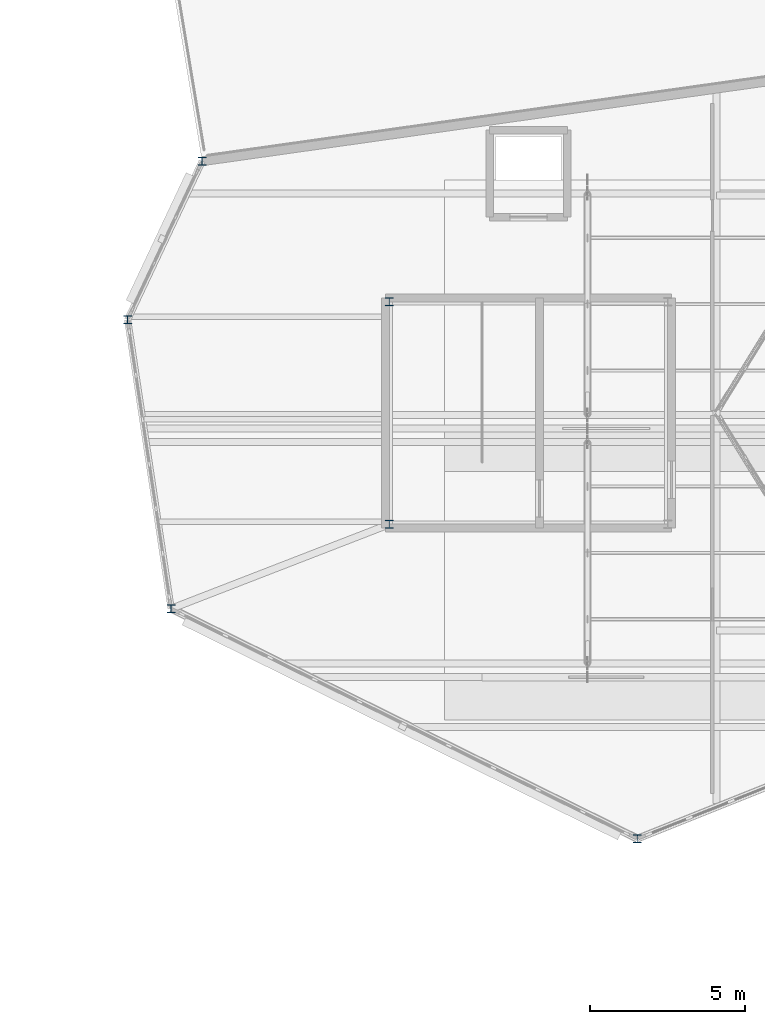
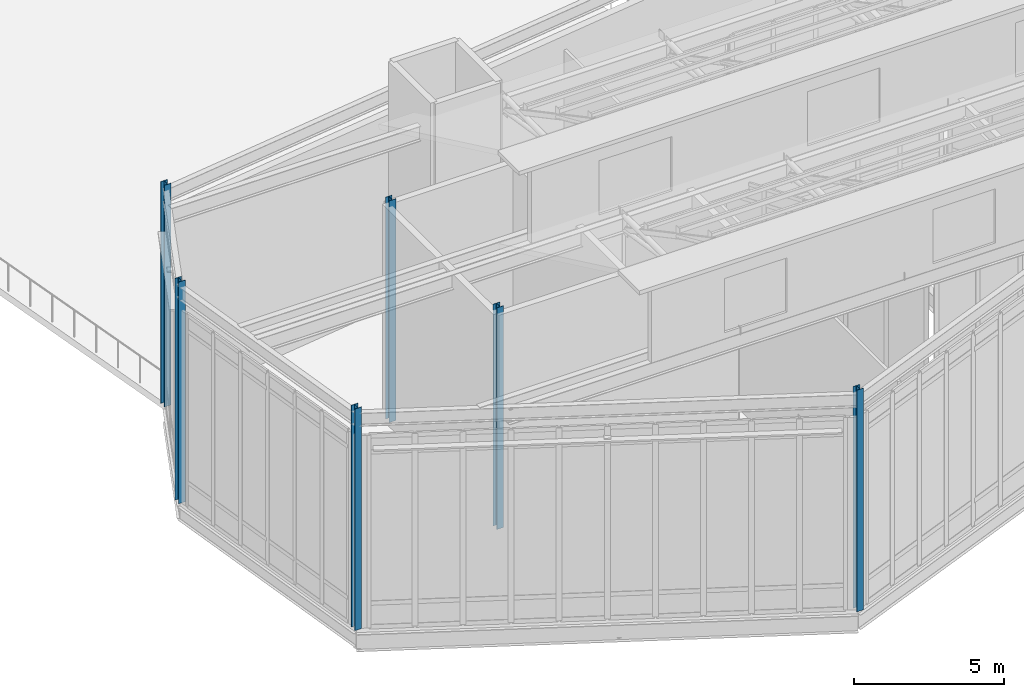
# One storey, part 1 of 66: 6 columns.
"""IFC4 building model written with IfcOpenShell, lengths in metres."""

from ifc_helpers import new_model, si_unit, direction, frame, origin, origin_2d, place, context, subcontext, project, spatial, i_section, extrude, material, material_profile, profile_set, type_object, element, save


model = new_model("IFC4")

# Units and contexts
model_context = context("Model", 3, precision=1e-05, world=origin(), true_north=direction((0.0, 1.0)))
body_context = subcontext(model_context, "Body", "Model", "MODEL_VIEW")
ifc_project = project(units=[si_unit("LENGTHUNIT", "METRE"), si_unit("AREAUNIT", "SQUARE_METRE"), si_unit("VOLUMEUNIT", "CUBIC_METRE"), si_unit("PLANEANGLEUNIT", "RADIAN"), si_unit("MASSUNIT", "GRAM", prefix="KILO")], contexts=[model_context])

# Site, building, storey
site_placement = place(None, origin())
site = spatial("IfcSite", under=ifc_project, at=site_placement, CompositionType="ELEMENT")
building_placement = place(site_placement, origin())
building = spatial("IfcBuilding", under=site, at=building_placement, Name="Tameran Prism Museum", CompositionType="ELEMENT")
storey_placement = place(building_placement, frame((0.0, 0.0, 19.800048828125)))
storey = spatial("IfcBuildingStorey", under=building, at=storey_placement, Name="L04", CompositionType="ELEMENT", Elevation=19.800048828125)

# Columns
ifc_material = material(Name="Steel Grade 300PLUS (300 MPa)", Category="steel")
ifc_material_profile = material_profile(ifc_material, i_section(OverallWidth=0.256103515625, OverallDepth=0.260009765625, WebThickness=0.010498046875, FlangeThickness=0.017333984375, FilletRadius=0.0126953125, at=origin_2d()))
ifc_profile_set = profile_set([ifc_material_profile])
column_type = type_object("IfcColumnType", Name="COL-UC250A", PredefinedType="COLUMN", material=ifc_profile_set)
for number, where, z_axis, x_axis, name in (
    (1, (49.60009765625, 39.5, 0.0), (0.0, 0.0, 1.0), (1.0, 0.0, 0.0), "Column CV-25 L04"),
    (2, (51.0, 30.199951171875, 0.0), (0.0, 0.0, 1.0), (1.0, 0.0, 0.0), "Column CV-27 L04"),
    (3, (52.0, 44.60009765625, 0.0), (0.0, 0.0, 1.0), (1.0, 0.0, 0.0), "Column CV-28 L04"),
    (4, (66.0, 22.800048828125, 0.0), (0.0, 0.0, 1.0), (1.0, 0.0, 0.0), "Column CV-32 L04"),
    (5, (58.02001953125, 32.919921875, 0.0), (0.0, 0.0, 1.0), (1.0, 0.0, 0.0), "Column CC-3-1 L04"),
    (6, (58.02001953125, 40.080078125, 0.0), (0.0, 0.0, 1.0), (1.0, 0.0, 0.0), "Column CC-3-4 L04"),
):
    element("IfcColumn", number, at=place(storey_placement, frame(where, z_axis=z_axis, x_axis=x_axis)), inside=storey, type_object=column_type, Name=name, PredefinedType="COLUMN", context=body_context, shape_type="SweptSolid", body=[
        extrude(i_section(OverallWidth=0.256103515625, OverallDepth=0.260009765625, WebThickness=0.010498046875, FlangeThickness=0.017333984375, FilletRadius=0.0126953125, at=origin_2d()), origin(), (0.0, 0.0, 1.0), 9.0),
    ])

save(model, "model.ifc")
